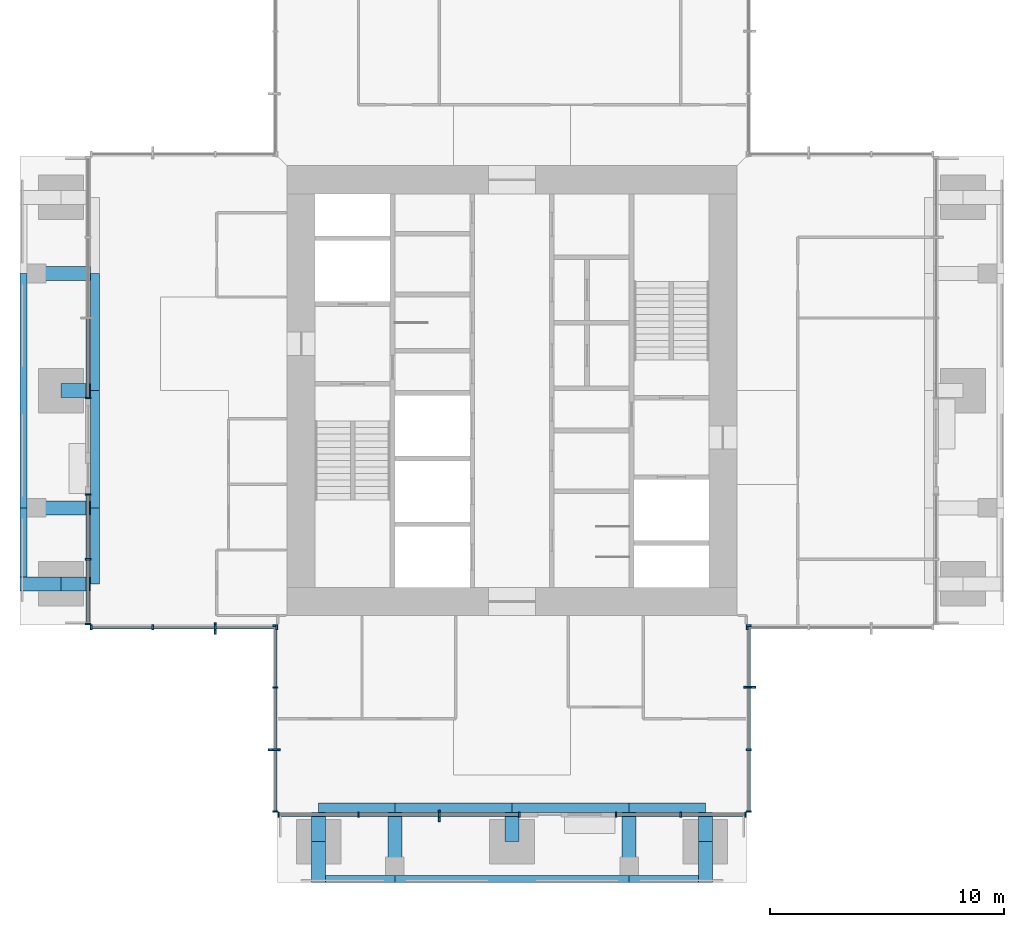
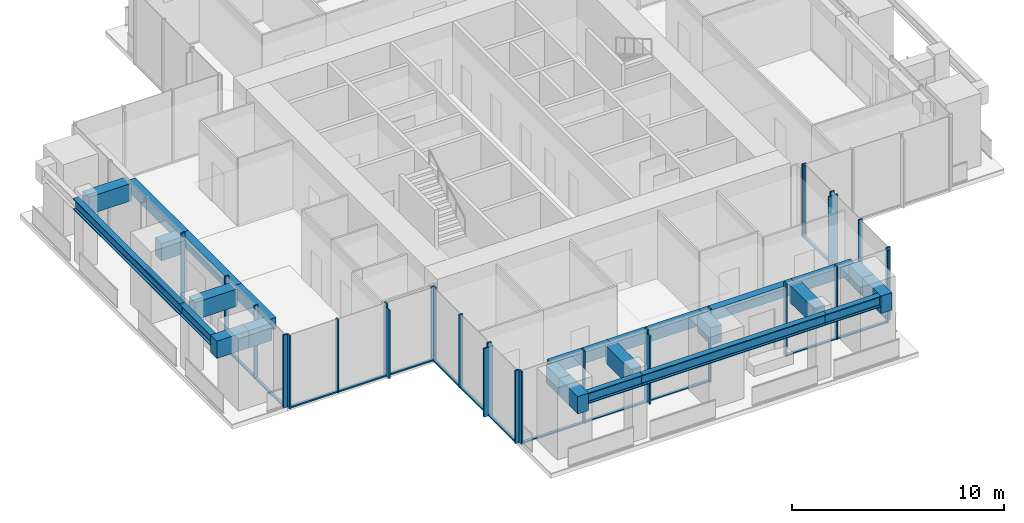
# One storey, part 2 of 12: 45 members, 24 beams, 8 elements without a shape of their own.
"""IFC4 building model written with IfcOpenShell, lengths in metres."""

from ifc_helpers import new_model, si_unit, direction, frame, origin, origin_2d, place, context, subcontext, project, spatial, rectangle, i_section, extrude, material, material_profile, profile_set, type_object, element, aggregate, save


model = new_model("IFC4")

# Units and contexts
model_context = context("Model", 3, precision=1e-05, world=origin(), true_north=direction((0.0, 1.0)))
body_context = subcontext(model_context, "Body", "Model", "MODEL_VIEW")
ifc_project = project(units=[si_unit("LENGTHUNIT", "METRE"), si_unit("AREAUNIT", "SQUARE_METRE"), si_unit("VOLUMEUNIT", "CUBIC_METRE"), si_unit("PLANEANGLEUNIT", "RADIAN"), si_unit("MASSUNIT", "GRAM", prefix="KILO")], contexts=[model_context])

# Site, building, storey
site_placement = place(None, origin())
site = spatial("IfcSite", under=ifc_project, at=site_placement, CompositionType="ELEMENT")
building_placement = place(site_placement, origin())
building = spatial("IfcBuilding", under=site, at=building_placement, Name="Svetlomir Tower", CompositionType="ELEMENT")
storey_placement = place(building_placement, frame((0.0, 0.0, 252.39990234375)))
storey = spatial("IfcBuildingStorey", under=building, at=storey_placement, Name="L60", CompositionType="ELEMENT", Elevation=252.39990234375)

# Curtain wall, member
ifc_material_1 = material(Name="Bronze anodised aluminium curtain wall", Category="aluminium")
curtain_wall_type = type_object("IfcCurtainWallType", Name="CURTAIN WALL CW4 EXECUTIVE", PredefinedType="NOTDEFINED", material=ifc_material_1)
curtain_wall_1_placement = place(storey_placement, origin())
curtain_wall_1 = element("IfcCurtainWall", 1, at=curtain_wall_1_placement, inside=storey, type_object=curtain_wall_type, Name="Curtain wall CW4 L60", PredefinedType="NOTDEFINED")
ifc_material_2 = material(Name="Bronze anodised aluminium", Category="aluminium")
ifc_material_profile_1 = material_profile(ifc_material_2, rectangle(XDim=0.080078125, YDim=0.5, at=origin_2d()), Name="FIN 80x500")
ifc_profile_set_1 = profile_set([ifc_material_profile_1], Name="Bronze anodised aluminium 6063-T6")
member_type_1 = type_object("IfcMemberType", Name="BRONZE FIN 80x500", PredefinedType="USERDEFINED", material=ifc_profile_set_1)
member_1_placement = place(storey_placement, frame((17.89990234375, 2.85009765625, 0.0), z_axis=(0.0, 0.0, 1.0), x_axis=(1.0, 0.0, 0.0)))
member_1 = element("IfcMember", 2, at=member_1_placement, type_object=member_type_1, Name="Bronze fin L60", ObjectType="FIN", PredefinedType="USERDEFINED", context=body_context, shape_type="SweptSolid", body=[
    extrude(rectangle(XDim=0.080078125, YDim=0.5, at=origin_2d()), origin(), (0.0, 0.0, 1.0), 3.9501953125),
])

curtain_wall_2_placement = place(storey_placement, origin())
curtain_wall_2 = element("IfcCurtainWall", 3, at=curtain_wall_2_placement, inside=storey, type_object=curtain_wall_type, Name="Curtain wall CW4 L60", PredefinedType="NOTDEFINED")
member_2_placement = place(storey_placement, frame((31.14990234375, 8.333251953125, 0.0), z_axis=(0.0, 0.0, 1.0), x_axis=(0.0, 1.0, 0.0)))
member_2 = element("IfcMember", 4, at=member_2_placement, type_object=member_type_1, Name="Bronze fin L60", ObjectType="FIN", PredefinedType="USERDEFINED", context=body_context, shape_type="SweptSolid", body=[
    extrude(rectangle(XDim=0.080078125, YDim=0.5, at=origin_2d()), origin(), (0.0, 0.0, 1.0), 3.9501953125),
])

curtain_wall_3_placement = place(storey_placement, origin())
curtain_wall_3 = element("IfcCurtainWall", 5, at=curtain_wall_3_placement, inside=storey, type_object=curtain_wall_type, Name="Curtain wall CW4 L60", PredefinedType="NOTDEFINED")
member_3_placement = place(storey_placement, frame((8.333251953125, 10.85009765625, 0.0), z_axis=(0.0, 0.0, 1.0), x_axis=(1.0, 0.0, 0.0)))
member_3 = element("IfcMember", 6, at=member_3_placement, type_object=member_type_1, Name="Bronze fin L60", ObjectType="FIN", PredefinedType="USERDEFINED", context=body_context, shape_type="SweptSolid", body=[
    extrude(rectangle(XDim=0.080078125, YDim=0.5, at=origin_2d()), origin(), (0.0, 0.0, 1.0), 3.9501953125),
])

curtain_wall_4_placement = place(storey_placement, origin())
curtain_wall_4 = element("IfcCurtainWall", 7, at=curtain_wall_4_placement, inside=storey, type_object=curtain_wall_type, Name="Curtain wall CW4 L60", PredefinedType="NOTDEFINED")
member_4_placement = place(storey_placement, frame((10.85009765625, 5.666748046875, 0.0), z_axis=(0.0, 0.0, 1.0), x_axis=(0.0, 1.0, 0.0)))
member_4 = element("IfcMember", 8, at=member_4_placement, type_object=member_type_1, Name="Bronze fin L60", ObjectType="FIN", PredefinedType="USERDEFINED", context=body_context, shape_type="SweptSolid", body=[
    extrude(rectangle(XDim=0.080078125, YDim=0.5, at=origin_2d()), origin(), (0.0, 0.0, 1.0), 3.9501953125),
])

# Member
ifc_material_3 = material(Name="Bronze anodised aluminium", Category="aluminium")
ifc_material_profile_2 = material_profile(ifc_material_3, rectangle(XDim=0.074951171875, YDim=0.219970703125, at=origin_2d()), Name="AL 75x220")
ifc_profile_set_2 = profile_set([ifc_material_profile_2], Name="Bronze anodised aluminium 6063-T6")
member_type_2 = type_object("IfcMemberType", Name="CW4 MULLION 75x220", PredefinedType="MULLION", material=ifc_profile_set_2)
member_5_placement = place(storey_placement, frame((11.03759765625, 2.89990234375, 0.0), z_axis=(0.0, 0.0, 1.0), x_axis=(1.0, 0.0, 0.0)))
member_5 = element("IfcMember", 9, at=member_5_placement, type_object=member_type_2, Name="CW4 mullion 1", PredefinedType="MULLION", context=body_context, shape_type="SweptSolid", body=[
    extrude(rectangle(XDim=0.074951171875, YDim=0.219970703125, at=origin_2d()), origin(), (0.0, 0.0, 1.0), 4.2001953125),
])

member_6_placement = place(storey_placement, frame((14.449951171875, 2.89990234375, 0.0), z_axis=(0.0, 0.0, 1.0), x_axis=(1.0, 0.0, 0.0)))
member_6 = element("IfcMember", 10, at=member_6_placement, type_object=member_type_2, Name="CW4 mullion 2", PredefinedType="MULLION", context=body_context, shape_type="SweptSolid", body=[
    extrude(rectangle(XDim=0.074951171875, YDim=0.219970703125, at=origin_2d()), origin(), (0.0, 0.0, 1.0), 4.2001953125),
])

member_7_placement = place(storey_placement, frame((17.89990234375, 2.89990234375, 0.0), z_axis=(0.0, 0.0, 1.0), x_axis=(1.0, 0.0, 0.0)))
member_7 = element("IfcMember", 11, at=member_7_placement, type_object=member_type_2, Name="CW4 mullion 3", PredefinedType="MULLION", context=body_context, shape_type="SweptSolid", body=[
    extrude(rectangle(XDim=0.074951171875, YDim=0.219970703125, at=origin_2d()), origin(), (0.0, 0.0, 1.0), 4.2001953125),
])

member_8_placement = place(storey_placement, frame((21.3125, 2.89990234375, 0.0), z_axis=(0.0, 0.0, 1.0), x_axis=(1.0, 0.0, 0.0)))
member_8 = element("IfcMember", 12, at=member_8_placement, type_object=member_type_2, Name="CW4 mullion 4", PredefinedType="MULLION", context=body_context, shape_type="SweptSolid", body=[
    extrude(rectangle(XDim=0.074951171875, YDim=0.219970703125, at=origin_2d()), origin(), (0.0, 0.0, 1.0), 4.2001953125),
])

# Curtain wall, members
curtain_wall_5_placement = place(storey_placement, origin())
curtain_wall_5 = element("IfcCurtainWall", 13, at=curtain_wall_5_placement, inside=storey, type_object=curtain_wall_type, Name="Curtain wall CW4 L60", PredefinedType="NOTDEFINED")
member_9_placement = place(storey_placement, frame((25.4375, 2.89990234375, 0.0), z_axis=(0.0, 0.0, 1.0), x_axis=(1.0, 0.0, 0.0)))
member_9 = element("IfcMember", 14, at=member_9_placement, type_object=member_type_2, Name="CW4 mullion 1", PredefinedType="MULLION", context=body_context, shape_type="SweptSolid", body=[
    extrude(rectangle(XDim=0.074951171875, YDim=0.219970703125, at=origin_2d()), origin(), (0.0, 0.0, 1.0), 4.2001953125),
])
member_10_placement = place(storey_placement, frame((28.199951171875, 2.89990234375, 0.0), z_axis=(0.0, 0.0, 1.0), x_axis=(1.0, 0.0, 0.0)))
member_10 = element("IfcMember", 15, at=member_10_placement, type_object=member_type_2, Name="CW4 mullion 2", PredefinedType="MULLION", context=body_context, shape_type="SweptSolid", body=[
    extrude(rectangle(XDim=0.074951171875, YDim=0.219970703125, at=origin_2d()), origin(), (0.0, 0.0, 1.0), 4.2001953125),
])
member_11_placement = place(storey_placement, frame((30.96240234375, 2.89990234375, 0.0), z_axis=(0.0, 0.0, 1.0), x_axis=(1.0, 0.0, 0.0)))
member_11 = element("IfcMember", 16, at=member_11_placement, type_object=member_type_2, Name="CW4 mullion 3", PredefinedType="MULLION", context=body_context, shape_type="SweptSolid", body=[
    extrude(rectangle(XDim=0.074951171875, YDim=0.219970703125, at=origin_2d()), origin(), (0.0, 0.0, 1.0), 4.2001953125),
])

# Member
member_12_placement = place(storey_placement, frame((31.10009765625, 3.03759765625, 0.0), z_axis=(0.0, 0.0, 1.0), x_axis=(0.0, 1.0, 0.0)))
member_12 = element("IfcMember", 17, at=member_12_placement, type_object=member_type_2, Name="CW4 mullion 1", PredefinedType="MULLION", context=body_context, shape_type="SweptSolid", body=[
    extrude(rectangle(XDim=0.074951171875, YDim=0.219970703125, at=origin_2d()), origin(), (0.0, 0.0, 1.0), 4.2001953125),
])

member_13_placement = place(storey_placement, frame((31.10009765625, 5.666748046875, 0.0), z_axis=(0.0, 0.0, 1.0), x_axis=(0.0, 1.0, 0.0)))
member_13 = element("IfcMember", 18, at=member_13_placement, type_object=member_type_2, Name="CW4 mullion 2", PredefinedType="MULLION", context=body_context, shape_type="SweptSolid", body=[
    extrude(rectangle(XDim=0.074951171875, YDim=0.219970703125, at=origin_2d()), origin(), (0.0, 0.0, 1.0), 4.2001953125),
])

member_14_placement = place(storey_placement, frame((31.10009765625, 8.333251953125, 0.0), z_axis=(0.0, 0.0, 1.0), x_axis=(0.0, 1.0, 0.0)))
member_14 = element("IfcMember", 19, at=member_14_placement, type_object=member_type_2, Name="CW4 mullion 3", PredefinedType="MULLION", context=body_context, shape_type="SweptSolid", body=[
    extrude(rectangle(XDim=0.074951171875, YDim=0.219970703125, at=origin_2d()), origin(), (0.0, 0.0, 1.0), 4.2001953125),
])

member_15_placement = place(storey_placement, frame((31.10009765625, 10.96240234375, 0.0), z_axis=(0.0, 0.0, 1.0), x_axis=(0.0, 1.0, 0.0)))
member_15 = element("IfcMember", 20, at=member_15_placement, type_object=member_type_2, Name="CW4 mullion 4", PredefinedType="MULLION", context=body_context, shape_type="SweptSolid", body=[
    extrude(rectangle(XDim=0.074951171875, YDim=0.219970703125, at=origin_2d()), origin(), (0.0, 0.0, 1.0), 4.2001953125),
])

# Curtain wall, member
curtain_wall_6_placement = place(storey_placement, origin())
curtain_wall_6 = element("IfcCurtainWall", 21, at=curtain_wall_6_placement, inside=storey, type_object=curtain_wall_type, Name="Curtain wall CW4 L60", PredefinedType="NOTDEFINED")
member_16_placement = place(storey_placement, frame((31.03759765625, 10.89990234375, 0.0), z_axis=(0.0, 0.0, 1.0), x_axis=(1.0, 0.0, 0.0)))
member_16 = element("IfcMember", 22, at=member_16_placement, type_object=member_type_2, Name="CW4 mullion 1", PredefinedType="MULLION", context=body_context, shape_type="SweptSolid", body=[
    extrude(rectangle(XDim=0.074951171875, YDim=0.219970703125, at=origin_2d()), origin(), (0.0, 0.0, 1.0), 4.2001953125),
])
aggregate(curtain_wall_6, [member_16])

curtain_wall_7_placement = place(storey_placement, origin())
curtain_wall_7 = element("IfcCurtainWall", 23, at=curtain_wall_7_placement, inside=storey, type_object=curtain_wall_type, Name="Curtain wall CW4 L60", PredefinedType="NOTDEFINED")
member_17_placement = place(storey_placement, frame((2.89990234375, 20.6875, 0.0), z_axis=(0.0, 0.0, 1.0), x_axis=(0.0, -1.0, 0.0)))
member_17 = element("IfcMember", 24, at=member_17_placement, type_object=member_type_2, Name="CW4 mullion 4", PredefinedType="MULLION", context=body_context, shape_type="SweptSolid", body=[
    extrude(rectangle(XDim=0.074951171875, YDim=0.219970703125, at=origin_2d()), origin(), (0.0, 0.0, 1.0), 4.2001953125),
])

# Curtain wall, members
curtain_wall_8_placement = place(storey_placement, origin())
curtain_wall_8 = element("IfcCurtainWall", 25, at=curtain_wall_8_placement, inside=storey, type_object=curtain_wall_type, Name="Curtain wall CW4 L60", PredefinedType="NOTDEFINED")
member_18_placement = place(storey_placement, frame((2.89990234375, 16.5625, 0.0), z_axis=(0.0, 0.0, 1.0), x_axis=(0.0, -1.0, 0.0)))
member_18 = element("IfcMember", 26, at=member_18_placement, type_object=member_type_2, Name="CW4 mullion 1", PredefinedType="MULLION", context=body_context, shape_type="SweptSolid", body=[
    extrude(rectangle(XDim=0.074951171875, YDim=0.219970703125, at=origin_2d()), origin(), (0.0, 0.0, 1.0), 4.2001953125),
])
member_19_placement = place(storey_placement, frame((2.89990234375, 13.800048828125, 0.0), z_axis=(0.0, 0.0, 1.0), x_axis=(0.0, -1.0, 0.0)))
member_19 = element("IfcMember", 27, at=member_19_placement, type_object=member_type_2, Name="CW4 mullion 2", PredefinedType="MULLION", context=body_context, shape_type="SweptSolid", body=[
    extrude(rectangle(XDim=0.074951171875, YDim=0.219970703125, at=origin_2d()), origin(), (0.0, 0.0, 1.0), 4.2001953125),
])
member_20_placement = place(storey_placement, frame((2.89990234375, 11.03759765625, 0.0), z_axis=(0.0, 0.0, 1.0), x_axis=(0.0, -1.0, 0.0)))
member_20 = element("IfcMember", 28, at=member_20_placement, type_object=member_type_2, Name="CW4 mullion 3", PredefinedType="MULLION", context=body_context, shape_type="SweptSolid", body=[
    extrude(rectangle(XDim=0.074951171875, YDim=0.219970703125, at=origin_2d()), origin(), (0.0, 0.0, 1.0), 4.2001953125),
])

# Member
member_21_placement = place(storey_placement, frame((3.03759765625, 10.89990234375, 0.0), z_axis=(0.0, 0.0, 1.0), x_axis=(1.0, 0.0, 0.0)))
member_21 = element("IfcMember", 29, at=member_21_placement, type_object=member_type_2, Name="CW4 mullion 1", PredefinedType="MULLION", context=body_context, shape_type="SweptSolid", body=[
    extrude(rectangle(XDim=0.074951171875, YDim=0.219970703125, at=origin_2d()), origin(), (0.0, 0.0, 1.0), 4.2001953125),
])

member_22_placement = place(storey_placement, frame((5.666748046875, 10.89990234375, 0.0), z_axis=(0.0, 0.0, 1.0), x_axis=(1.0, 0.0, 0.0)))
member_22 = element("IfcMember", 30, at=member_22_placement, type_object=member_type_2, Name="CW4 mullion 2", PredefinedType="MULLION", context=body_context, shape_type="SweptSolid", body=[
    extrude(rectangle(XDim=0.074951171875, YDim=0.219970703125, at=origin_2d()), origin(), (0.0, 0.0, 1.0), 4.2001953125),
])

member_23_placement = place(storey_placement, frame((8.333251953125, 10.89990234375, 0.0), z_axis=(0.0, 0.0, 1.0), x_axis=(1.0, 0.0, 0.0)))
member_23 = element("IfcMember", 31, at=member_23_placement, type_object=member_type_2, Name="CW4 mullion 3", PredefinedType="MULLION", context=body_context, shape_type="SweptSolid", body=[
    extrude(rectangle(XDim=0.074951171875, YDim=0.219970703125, at=origin_2d()), origin(), (0.0, 0.0, 1.0), 4.2001953125),
])

member_24_placement = place(storey_placement, frame((10.96240234375, 10.89990234375, 0.0), z_axis=(0.0, 0.0, 1.0), x_axis=(1.0, 0.0, 0.0)))
member_24 = element("IfcMember", 32, at=member_24_placement, type_object=member_type_2, Name="CW4 mullion 4", PredefinedType="MULLION", context=body_context, shape_type="SweptSolid", body=[
    extrude(rectangle(XDim=0.074951171875, YDim=0.219970703125, at=origin_2d()), origin(), (0.0, 0.0, 1.0), 4.2001953125),
])

member_25_placement = place(storey_placement, frame((10.89990234375, 10.96240234375, 0.0), z_axis=(0.0, 0.0, 1.0), x_axis=(0.0, -1.0, 0.0)))
member_25 = element("IfcMember", 33, at=member_25_placement, type_object=member_type_2, Name="CW4 mullion 1", PredefinedType="MULLION", context=body_context, shape_type="SweptSolid", body=[
    extrude(rectangle(XDim=0.074951171875, YDim=0.219970703125, at=origin_2d()), origin(), (0.0, 0.0, 1.0), 4.2001953125),
])

member_26_placement = place(storey_placement, frame((10.89990234375, 8.333251953125, 0.0), z_axis=(0.0, 0.0, 1.0), x_axis=(0.0, -1.0, 0.0)))
member_26 = element("IfcMember", 34, at=member_26_placement, type_object=member_type_2, Name="CW4 mullion 2", PredefinedType="MULLION", context=body_context, shape_type="SweptSolid", body=[
    extrude(rectangle(XDim=0.074951171875, YDim=0.219970703125, at=origin_2d()), origin(), (0.0, 0.0, 1.0), 4.2001953125),
])

member_27_placement = place(storey_placement, frame((10.89990234375, 5.666748046875, 0.0), z_axis=(0.0, 0.0, 1.0), x_axis=(0.0, -1.0, 0.0)))
member_27 = element("IfcMember", 35, at=member_27_placement, type_object=member_type_2, Name="CW4 mullion 3", PredefinedType="MULLION", context=body_context, shape_type="SweptSolid", body=[
    extrude(rectangle(XDim=0.074951171875, YDim=0.219970703125, at=origin_2d()), origin(), (0.0, 0.0, 1.0), 4.2001953125),
])

member_28_placement = place(storey_placement, frame((10.89990234375, 3.03759765625, 0.0), z_axis=(0.0, 0.0, 1.0), x_axis=(0.0, -1.0, 0.0)))
member_28 = element("IfcMember", 36, at=member_28_placement, type_object=member_type_2, Name="CW4 mullion 4", PredefinedType="MULLION", context=body_context, shape_type="SweptSolid", body=[
    extrude(rectangle(XDim=0.074951171875, YDim=0.219970703125, at=origin_2d()), origin(), (0.0, 0.0, 1.0), 4.2001953125),
])

ifc_material_4 = material(Name="Bronze anodised aluminium", Category="aluminium")
ifc_material_profile_3 = material_profile(ifc_material_4, rectangle(XDim=0.14990234375, YDim=0.074951171875, at=origin_2d()), Name="AL 150x75")
ifc_profile_set_3 = profile_set([ifc_material_profile_3], Name="Bronze anodised aluminium 6063-T6")
member_type_3 = type_object("IfcMemberType", Name="CW4 TRANSOM 75x150", PredefinedType="USERDEFINED", material=ifc_profile_set_3)
member_29_placement = place(storey_placement, frame((11.074951171875, 2.89990234375, 0.03759765625), z_axis=(1.0, 0.0, 0.0), x_axis=(0.0, 1.0, 0.0)))
member_29 = element("IfcMember", 37, at=member_29_placement, type_object=member_type_3, Name="CW4 transom 1.1", ObjectType="TRANSOM", PredefinedType="USERDEFINED", context=body_context, shape_type="SweptSolid", body=[
    extrude(rectangle(XDim=0.14990234375, YDim=0.074951171875, at=origin_2d()), origin(), (0.0, 0.0, 1.0), 3.337646484375),
])

member_30_placement = place(storey_placement, frame((14.487548828125, 2.89990234375, 0.03759765625), z_axis=(1.0, 0.0, 0.0), x_axis=(0.0, 1.0, 0.0)))
member_30 = element("IfcMember", 38, at=member_30_placement, type_object=member_type_3, Name="CW4 transom 2.1", ObjectType="TRANSOM", PredefinedType="USERDEFINED", context=body_context, shape_type="SweptSolid", body=[
    extrude(rectangle(XDim=0.14990234375, YDim=0.074951171875, at=origin_2d()), origin(), (0.0, 0.0, 1.0), 3.375),
])

member_31_placement = place(storey_placement, frame((17.9375, 2.89990234375, 0.03759765625), z_axis=(1.0, 0.0, 0.0), x_axis=(0.0, 1.0, 0.0)))
member_31 = element("IfcMember", 39, at=member_31_placement, type_object=member_type_3, Name="CW4 transom 3.1", ObjectType="TRANSOM", PredefinedType="USERDEFINED", context=body_context, shape_type="SweptSolid", body=[
    extrude(rectangle(XDim=0.14990234375, YDim=0.074951171875, at=origin_2d()), origin(), (0.0, 0.0, 1.0), 3.33740234375),
])

aggregate(curtain_wall_1, [member_5, member_6, member_7, member_8, member_29, member_30, member_31, member_1])

member_32_placement = place(storey_placement, frame((25.47509765625, 2.89990234375, 0.03759765625), z_axis=(1.0, 0.0, 0.0), x_axis=(0.0, 1.0, 0.0)))
member_32 = element("IfcMember", 40, at=member_32_placement, type_object=member_type_3, Name="CW4 transom 1.1", ObjectType="TRANSOM", PredefinedType="USERDEFINED", context=body_context, shape_type="SweptSolid", body=[
    extrude(rectangle(XDim=0.14990234375, YDim=0.074951171875, at=origin_2d()), origin(), (0.0, 0.0, 1.0), 2.6875),
])

member_33_placement = place(storey_placement, frame((28.237548828125, 2.89990234375, 0.03759765625), z_axis=(1.0, 0.0, 0.0), x_axis=(0.0, 1.0, 0.0)))
member_33 = element("IfcMember", 41, at=member_33_placement, type_object=member_type_3, Name="CW4 transom 2.1", ObjectType="TRANSOM", PredefinedType="USERDEFINED", context=body_context, shape_type="SweptSolid", body=[
    extrude(rectangle(XDim=0.14990234375, YDim=0.074951171875, at=origin_2d()), origin(), (0.0, 0.0, 1.0), 2.6875),
])

aggregate(curtain_wall_5, [member_9, member_10, member_11, member_32, member_33])

member_34_placement = place(storey_placement, frame((31.10009765625, 3.074951171875, 0.03759765625), z_axis=(0.0, 1.0, 0.0), x_axis=(-1.0, 0.0, 0.0)))
member_34 = element("IfcMember", 42, at=member_34_placement, type_object=member_type_3, Name="CW4 transom 1.1", ObjectType="TRANSOM", PredefinedType="USERDEFINED", context=body_context, shape_type="SweptSolid", body=[
    extrude(rectangle(XDim=0.14990234375, YDim=0.074951171875, at=origin_2d()), origin(), (0.0, 0.0, 1.0), 2.55419921875),
])

member_35_placement = place(storey_placement, frame((31.10009765625, 5.7041015625, 0.03759765625), z_axis=(0.0, 1.0, 0.0), x_axis=(-1.0, 0.0, 0.0)))
member_35 = element("IfcMember", 43, at=member_35_placement, type_object=member_type_3, Name="CW4 transom 2.1", ObjectType="TRANSOM", PredefinedType="USERDEFINED", context=body_context, shape_type="SweptSolid", body=[
    extrude(rectangle(XDim=0.14990234375, YDim=0.074951171875, at=origin_2d()), origin(), (0.0, 0.0, 1.0), 2.591796875),
])

member_36_placement = place(storey_placement, frame((31.10009765625, 8.370849609375, 0.03759765625), z_axis=(0.0, 1.0, 0.0), x_axis=(-1.0, 0.0, 0.0)))
member_36 = element("IfcMember", 44, at=member_36_placement, type_object=member_type_3, Name="CW4 transom 3.1", ObjectType="TRANSOM", PredefinedType="USERDEFINED", context=body_context, shape_type="SweptSolid", body=[
    extrude(rectangle(XDim=0.14990234375, YDim=0.074951171875, at=origin_2d()), origin(), (0.0, 0.0, 1.0), 2.55419921875),
])

aggregate(curtain_wall_2, [member_12, member_13, member_14, member_15, member_34, member_35, member_36, member_2])

member_37_placement = place(storey_placement, frame((2.89990234375, 24.0625, 0.03759765625), z_axis=(0.0, -1.0, 0.0), x_axis=(1.0, 0.0, 0.0)))
member_37 = element("IfcMember", 45, at=member_37_placement, type_object=member_type_3, Name="CW4 transom 3.1", ObjectType="TRANSOM", PredefinedType="USERDEFINED", context=body_context, shape_type="SweptSolid", body=[
    extrude(rectangle(XDim=0.14990234375, YDim=0.074951171875, at=origin_2d()), origin(), (0.0, 0.0, 1.0), 3.33740234375),
])

aggregate(curtain_wall_7, [member_17, member_37])

member_38_placement = place(storey_placement, frame((2.89990234375, 16.52490234375, 0.03759765625), z_axis=(0.0, -1.0, 0.0), x_axis=(1.0, 0.0, 0.0)))
member_38 = element("IfcMember", 46, at=member_38_placement, type_object=member_type_3, Name="CW4 transom 1.1", ObjectType="TRANSOM", PredefinedType="USERDEFINED", context=body_context, shape_type="SweptSolid", body=[
    extrude(rectangle(XDim=0.14990234375, YDim=0.074951171875, at=origin_2d()), origin(), (0.0, 0.0, 1.0), 2.6875),
])

member_39_placement = place(storey_placement, frame((2.89990234375, 13.762451171875, 0.03759765625), z_axis=(0.0, -1.0, 0.0), x_axis=(1.0, 0.0, 0.0)))
member_39 = element("IfcMember", 47, at=member_39_placement, type_object=member_type_3, Name="CW4 transom 2.1", ObjectType="TRANSOM", PredefinedType="USERDEFINED", context=body_context, shape_type="SweptSolid", body=[
    extrude(rectangle(XDim=0.14990234375, YDim=0.074951171875, at=origin_2d()), origin(), (0.0, 0.0, 1.0), 2.6875),
])

aggregate(curtain_wall_8, [member_18, member_19, member_20, member_38, member_39])

member_40_placement = place(storey_placement, frame((3.074951171875, 10.89990234375, 0.03759765625), z_axis=(1.0, 0.0, 0.0), x_axis=(0.0, 1.0, 0.0)))
member_40 = element("IfcMember", 48, at=member_40_placement, type_object=member_type_3, Name="CW4 transom 1.1", ObjectType="TRANSOM", PredefinedType="USERDEFINED", context=body_context, shape_type="SweptSolid", body=[
    extrude(rectangle(XDim=0.14990234375, YDim=0.074951171875, at=origin_2d()), origin(), (0.0, 0.0, 1.0), 2.55419921875),
])

member_41_placement = place(storey_placement, frame((5.7041015625, 10.89990234375, 0.03759765625), z_axis=(1.0, 0.0, 0.0), x_axis=(0.0, 1.0, 0.0)))
member_41 = element("IfcMember", 49, at=member_41_placement, type_object=member_type_3, Name="CW4 transom 2.1", ObjectType="TRANSOM", PredefinedType="USERDEFINED", context=body_context, shape_type="SweptSolid", body=[
    extrude(rectangle(XDim=0.14990234375, YDim=0.074951171875, at=origin_2d()), origin(), (0.0, 0.0, 1.0), 2.591796875),
])

member_42_placement = place(storey_placement, frame((8.370849609375, 10.89990234375, 0.03759765625), z_axis=(1.0, 0.0, 0.0), x_axis=(0.0, 1.0, 0.0)))
member_42 = element("IfcMember", 50, at=member_42_placement, type_object=member_type_3, Name="CW4 transom 3.1", ObjectType="TRANSOM", PredefinedType="USERDEFINED", context=body_context, shape_type="SweptSolid", body=[
    extrude(rectangle(XDim=0.14990234375, YDim=0.074951171875, at=origin_2d()), origin(), (0.0, 0.0, 1.0), 2.55419921875),
])

aggregate(curtain_wall_3, [member_21, member_22, member_23, member_24, member_40, member_41, member_42, member_3])

member_43_placement = place(storey_placement, frame((10.89990234375, 10.925048828125, 0.03759765625), z_axis=(0.0, -1.0, 0.0), x_axis=(1.0, 0.0, 0.0)))
member_43 = element("IfcMember", 51, at=member_43_placement, type_object=member_type_3, Name="CW4 transom 1.1", ObjectType="TRANSOM", PredefinedType="USERDEFINED", context=body_context, shape_type="SweptSolid", body=[
    extrude(rectangle(XDim=0.14990234375, YDim=0.074951171875, at=origin_2d()), origin(), (0.0, 0.0, 1.0), 2.55419921875),
])

member_44_placement = place(storey_placement, frame((10.89990234375, 8.2958984375, 0.03759765625), z_axis=(0.0, -1.0, 0.0), x_axis=(1.0, 0.0, 0.0)))
member_44 = element("IfcMember", 52, at=member_44_placement, type_object=member_type_3, Name="CW4 transom 2.1", ObjectType="TRANSOM", PredefinedType="USERDEFINED", context=body_context, shape_type="SweptSolid", body=[
    extrude(rectangle(XDim=0.14990234375, YDim=0.074951171875, at=origin_2d()), origin(), (0.0, 0.0, 1.0), 2.591796875),
])

member_45_placement = place(storey_placement, frame((10.89990234375, 5.629150390625, 0.03759765625), z_axis=(0.0, -1.0, 0.0), x_axis=(1.0, 0.0, 0.0)))
member_45 = element("IfcMember", 53, at=member_45_placement, type_object=member_type_3, Name="CW4 transom 3.1", ObjectType="TRANSOM", PredefinedType="USERDEFINED", context=body_context, shape_type="SweptSolid", body=[
    extrude(rectangle(XDim=0.14990234375, YDim=0.074951171875, at=origin_2d()), origin(), (0.0, 0.0, 1.0), 2.55419921875),
])

aggregate(curtain_wall_4, [member_25, member_26, member_27, member_28, member_43, member_44, member_45, member_4])

# Beams
ifc_material_5 = material(Name="Steel S355", Category="steel")
ifc_material_profile_4 = material_profile(ifc_material_5, i_section(OverallWidth=0.304931640625, OverallDepth=0.6201171875, WebThickness=0.02099609375, FlangeThickness=0.0400390625, FilletRadius=0.027099609375, at=origin_2d()), Name="HEM 600")
ifc_profile_set_4 = profile_set([ifc_material_profile_4], Name="Steel S355")
beam_type_1 = type_object("IfcBeamType", Name="EDGE BEAM HEM 600", PredefinedType="SPANDREL", material=ifc_profile_set_4)
for number, where, z_axis, x_axis, name in (
    (54, (13.050048828125, 0.152587890625, 3.64013671875), (1.0, 0.0, 0.0), (0.0, 1.0, 0.0), "Edge beam 11/0 to 16/0 under L61"),
    (55, (0.152587890625, 13.050048828125, 3.64013671875), (0.0, 1.0, 0.0), (-1.0, 0.0, 0.0), "Edge beam 0/11 to 0/16 under L61"),
):
    element("IfcBeam", number, at=place(storey_placement, frame(where, z_axis=z_axis, x_axis=x_axis)), inside=storey, type_object=beam_type_1, Name=name, PredefinedType="SPANDREL", context=body_context, shape_type="SweptSolid", body=[
        extrude(i_section(OverallWidth=0.304931640625, OverallDepth=0.6201171875, WebThickness=0.02099609375, FlangeThickness=0.0400390625, FilletRadius=0.027099609375, at=origin_2d()), origin(), (0.0, 0.0, 1.0), 2.949951171875),
    ])
for number, where, z_axis, x_axis, name in (
    (56, (16.0, 0.152587890625, 3.64013671875), (1.0, 0.0, 0.0), (0.0, 1.0, 0.0), "Edge beam 16/0 to 26/0 under L61"),
    (57, (0.152587890625, 16.0, 3.64013671875), (0.0, 1.0, 0.0), (-1.0, 0.0, 0.0), "Edge beam 0/16 to 0/26 under L61"),
):
    element("IfcBeam", number, at=place(storey_placement, frame(where, z_axis=z_axis, x_axis=x_axis)), inside=storey, type_object=beam_type_1, Name=name, PredefinedType="SPANDREL", context=body_context, shape_type="SweptSolid", body=[
        extrude(i_section(OverallWidth=0.304931640625, OverallDepth=0.6201171875, WebThickness=0.02099609375, FlangeThickness=0.0400390625, FilletRadius=0.027099609375, at=origin_2d()), origin(), (0.0, 0.0, 1.0), 10.0),
    ])
beam_1_placement = place(storey_placement, frame((26.0, 0.152587890625, 3.64013671875), z_axis=(1.0, 0.0, 0.0), x_axis=(0.0, 1.0, 0.0)))
element("IfcBeam", 58, at=beam_1_placement, inside=storey, type_object=beam_type_1, Name="Edge beam 26/0 to 31/0 under L61", PredefinedType="SPANDREL", context=body_context, shape_type="SweptSolid", body=[
    extrude(i_section(OverallWidth=0.304931640625, OverallDepth=0.6201171875, WebThickness=0.02099609375, FlangeThickness=0.0400390625, FilletRadius=0.027099609375, at=origin_2d()), origin(), (0.0, 0.0, 1.0), 2.949951171875),
])
ifc_material_6 = material(Name="Concrete C60/75", Category="concrete")
ifc_material_profile_5 = material_profile(ifc_material_6, rectangle(XDim=0.60009765625, YDim=1.0, at=origin_2d()), Name="RC 600x1000")
ifc_profile_set_5 = profile_set([ifc_material_profile_5], Name="Concrete C60/75")
beam_type_2 = type_object("IfcBeamType", Name="EDGE LINK BEAM RC 600x1000", PredefinedType="BEAM", material=ifc_profile_set_5)
for number, where, z_axis, x_axis, name in (
    (59, (1.75, 12.75, 3.4501953125), (-1.0, 0.0, 0.0), (0.0, -1.0, 0.0), "Edge link beam W 0/11 under L61"),
    (60, (12.75, 1.75, 3.4501953125), (0.0, -1.0, 0.0), (1.0, 0.0, 0.0), "Edge link beam S 11/0 under L61"),
    (61, (29.25, 1.75, 3.4501953125), (0.0, -1.0, 0.0), (1.0, 0.0, 0.0), "Edge link beam S 31/0 under L61"),
):
    element("IfcBeam", number, at=place(storey_placement, frame(where, z_axis=z_axis, x_axis=x_axis)), inside=storey, type_object=beam_type_2, Name=name, PredefinedType="BEAM", context=body_context, shape_type="SweptSolid", body=[
        extrude(rectangle(XDim=0.60009765625, YDim=1.0, at=origin_2d()), origin(), (0.0, 0.0, 1.0), 1.75),
    ])
ifc_material_7 = material(Name="Concrete C60/75", Category="concrete")
ifc_material_profile_6 = material_profile(ifc_material_7, rectangle(XDim=0.39990234375, YDim=0.64990234375, at=origin_2d()), Name="RC 400x650")
ifc_profile_set_6 = profile_set([ifc_material_profile_6], Name="Concrete C60/75")
beam_type_3 = type_object("IfcBeamType", Name="FACADE EDGE BEAM RC 400x650", PredefinedType="BEAM", material=ifc_profile_set_6)
beam_2_placement = place(storey_placement, frame((12.75, 3.199951171875, 3.625), z_axis=(1.0, 0.0, 0.0), x_axis=(0.0, 1.0, 0.0)))
element("IfcBeam", 62, at=beam_2_placement, inside=storey, type_object=beam_type_3, Name="Facade edge beam S 11 to 16 under L61", PredefinedType="BEAM", context=body_context, shape_type="SweptSolid", body=[
    extrude(rectangle(XDim=0.39990234375, YDim=0.64990234375, at=origin_2d()), origin(), (0.0, 0.0, 1.0), 3.25),
])
for number, where, z_axis, x_axis, name in (
    (63, (16.0, 3.199951171875, 3.625), (1.0, 0.0, 0.0), (0.0, 1.0, 0.0), "Facade edge beam S 16 to 21 under L61"),
    (64, (21.0, 3.199951171875, 3.625), (1.0, 0.0, 0.0), (0.0, 1.0, 0.0), "Facade edge beam S 21 to 26 under L61"),
):
    element("IfcBeam", number, at=place(storey_placement, frame(where, z_axis=z_axis, x_axis=x_axis)), inside=storey, type_object=beam_type_3, Name=name, PredefinedType="BEAM", context=body_context, shape_type="SweptSolid", body=[
        extrude(rectangle(XDim=0.39990234375, YDim=0.64990234375, at=origin_2d()), origin(), (0.0, 0.0, 1.0), 5.0),
    ])
for number, where, z_axis, x_axis, name in (
    (65, (26.0, 3.199951171875, 3.625), (1.0, 0.0, 0.0), (0.0, 1.0, 0.0), "Facade edge beam S 26 to 31 under L61"),
    (66, (3.199951171875, 12.75, 3.625), (0.0, 1.0, 0.0), (-1.0, 0.0, 0.0), "Facade edge beam W 11 to 16 under L61"),
):
    element("IfcBeam", number, at=place(storey_placement, frame(where, z_axis=z_axis, x_axis=x_axis)), inside=storey, type_object=beam_type_3, Name=name, PredefinedType="BEAM", context=body_context, shape_type="SweptSolid", body=[
        extrude(rectangle(XDim=0.39990234375, YDim=0.64990234375, at=origin_2d()), origin(), (0.0, 0.0, 1.0), 3.25),
    ])
for number, where, z_axis, x_axis, name in (
    (67, (3.199951171875, 16.0, 3.625), (0.0, 1.0, 0.0), (-1.0, 0.0, 0.0), "Facade edge beam W 16 to 21 under L61"),
    (68, (3.199951171875, 21.0, 3.625), (0.0, 1.0, 0.0), (-1.0, 0.0, 0.0), "Facade edge beam W 21 to 26 under L61"),
):
    element("IfcBeam", number, at=place(storey_placement, frame(where, z_axis=z_axis, x_axis=x_axis)), inside=storey, type_object=beam_type_3, Name=name, PredefinedType="BEAM", context=body_context, shape_type="SweptSolid", body=[
        extrude(rectangle(XDim=0.39990234375, YDim=0.64990234375, at=origin_2d()), origin(), (0.0, 0.0, 1.0), 5.0),
    ])
ifc_material_8 = material(Name="Concrete C60/75", Category="concrete")
ifc_material_profile_7 = material_profile(ifc_material_8, rectangle(XDim=0.60009765625, YDim=1.0, at=origin_2d()), Name="RC 600x1000")
ifc_profile_set_7 = profile_set([ifc_material_profile_7], Name="Concrete C60/75")
beam_type_4 = type_object("IfcBeamType", Name="LOGGIA LINK BEAM RC 600x1000", PredefinedType="BEAM", material=ifc_profile_set_7)
beam_3_placement = place(storey_placement, frame((12.75, 1.75, 3.4501953125), z_axis=(0.0, 1.0, 0.0), x_axis=(-1.0, 0.0, 0.0)))
element("IfcBeam", 69, at=beam_3_placement, inside=storey, type_object=beam_type_4, Name="Loggia link beam S 11 under L61", PredefinedType="BEAM", context=body_context, shape_type="SweptSolid", body=[
    extrude(rectangle(XDim=0.60009765625, YDim=1.0, at=origin_2d()), origin(), (0.0, 0.0, 1.0), 1.25),
])
beam_4_placement = place(storey_placement, frame((16.0, 0.699951171875, 3.4501953125), z_axis=(0.0, 1.0, 0.0), x_axis=(-1.0, 0.0, 0.0)))
element("IfcBeam", 70, at=beam_4_placement, inside=storey, type_object=beam_type_4, Name="Loggia link beam S 16 under L61", PredefinedType="BEAM", context=body_context, shape_type="SweptSolid", body=[
    extrude(rectangle(XDim=0.60009765625, YDim=1.0, at=origin_2d()), origin(), (0.0, 0.0, 1.0), 2.300048828125),
])
beam_5_placement = place(storey_placement, frame((21.0, 1.75, 3.4501953125), z_axis=(0.0, 1.0, 0.0), x_axis=(-1.0, 0.0, 0.0)))
element("IfcBeam", 71, at=beam_5_placement, inside=storey, type_object=beam_type_4, Name="Loggia link beam S 21 under L61", PredefinedType="BEAM", context=body_context, shape_type="SweptSolid", body=[
    extrude(rectangle(XDim=0.60009765625, YDim=1.0, at=origin_2d()), origin(), (0.0, 0.0, 1.0), 1.25),
])
beam_6_placement = place(storey_placement, frame((26.0, 0.699951171875, 3.4501953125), z_axis=(0.0, 1.0, 0.0), x_axis=(-1.0, 0.0, 0.0)))
element("IfcBeam", 72, at=beam_6_placement, inside=storey, type_object=beam_type_4, Name="Loggia link beam S 26 under L61", PredefinedType="BEAM", context=body_context, shape_type="SweptSolid", body=[
    extrude(rectangle(XDim=0.60009765625, YDim=1.0, at=origin_2d()), origin(), (0.0, 0.0, 1.0), 2.300048828125),
])
for number, where, z_axis, x_axis, name in (
    (73, (29.25, 1.75, 3.4501953125), (0.0, 1.0, 0.0), (-1.0, 0.0, 0.0), "Loggia link beam S 31 under L61"),
    (74, (1.75, 12.75, 3.4501953125), (1.0, 0.0, 0.0), (0.0, 1.0, 0.0), "Loggia link beam W 11 under L61"),
):
    element("IfcBeam", number, at=place(storey_placement, frame(where, z_axis=z_axis, x_axis=x_axis)), inside=storey, type_object=beam_type_4, Name=name, PredefinedType="BEAM", context=body_context, shape_type="SweptSolid", body=[
        extrude(rectangle(XDim=0.60009765625, YDim=1.0, at=origin_2d()), origin(), (0.0, 0.0, 1.0), 1.25),
    ])
beam_7_placement = place(storey_placement, frame((0.699951171875, 16.0, 3.4501953125), z_axis=(1.0, 0.0, 0.0), x_axis=(0.0, 1.0, 0.0)))
element("IfcBeam", 75, at=beam_7_placement, inside=storey, type_object=beam_type_4, Name="Loggia link beam W 16 under L61", PredefinedType="BEAM", context=body_context, shape_type="SweptSolid", body=[
    extrude(rectangle(XDim=0.60009765625, YDim=1.0, at=origin_2d()), origin(), (0.0, 0.0, 1.0), 2.300048828125),
])
beam_8_placement = place(storey_placement, frame((1.75, 21.0, 3.4501953125), z_axis=(1.0, 0.0, 0.0), x_axis=(0.0, 1.0, 0.0)))
element("IfcBeam", 76, at=beam_8_placement, inside=storey, type_object=beam_type_4, Name="Loggia link beam W 21 under L61", PredefinedType="BEAM", context=body_context, shape_type="SweptSolid", body=[
    extrude(rectangle(XDim=0.60009765625, YDim=1.0, at=origin_2d()), origin(), (0.0, 0.0, 1.0), 1.25),
])
beam_9_placement = place(storey_placement, frame((0.699951171875, 26.0, 3.4501953125), z_axis=(1.0, 0.0, 0.0), x_axis=(0.0, 1.0, 0.0)))
element("IfcBeam", 77, at=beam_9_placement, inside=storey, type_object=beam_type_4, Name="Loggia link beam W 26 under L61", PredefinedType="BEAM", context=body_context, shape_type="SweptSolid", body=[
    extrude(rectangle(XDim=0.60009765625, YDim=1.0, at=origin_2d()), origin(), (0.0, 0.0, 1.0), 2.300048828125),
])

save(model, "model.ifc")
